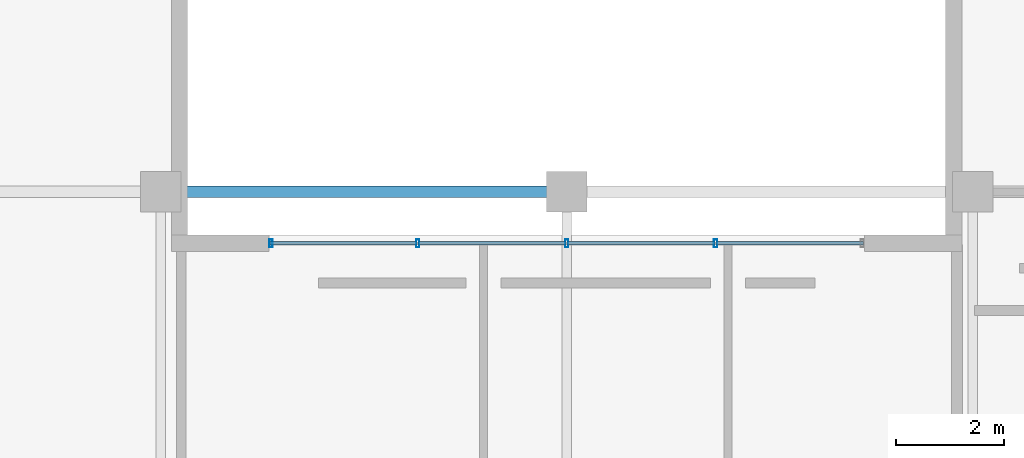
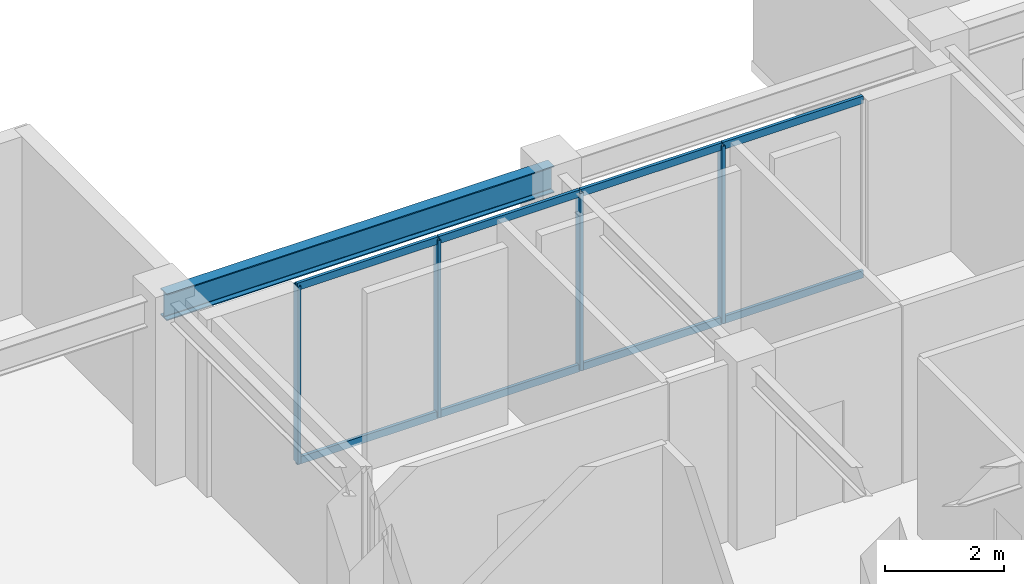
# One storey, part 2 of 10: 12 members, 1 beam, 1 element without a shape of its own.
"""IFC4 building model written with IfcOpenShell, lengths in metres."""

from ifc_helpers import new_model, si_unit, direction, frame, origin, origin_2d, place, context, subcontext, project, spatial, hollow_rectangle, i_section, extrude, material, material_profile, profile_set, type_object, element, aggregate, save


model = new_model("IFC4")

# Units and contexts
model_context = context("Model", 3, precision=1e-05, world=origin(), true_north=direction((0.0, 1.0)))
body_context = subcontext(model_context, "Body", "Model", "MODEL_VIEW")
ifc_project = project(units=[si_unit("LENGTHUNIT", "METRE"), si_unit("AREAUNIT", "SQUARE_METRE"), si_unit("VOLUMEUNIT", "CUBIC_METRE"), si_unit("PLANEANGLEUNIT", "RADIAN"), si_unit("MASSUNIT", "GRAM", prefix="KILO")], contexts=[model_context])

# Site, building, storey
site_placement = place(None, origin())
site = spatial("IfcSite", under=ifc_project, at=site_placement, CompositionType="ELEMENT")
building_placement = place(site_placement, origin())
building = spatial("IfcBuilding", under=site, at=building_placement, Name="Ventersveld Concourse Tower", CompositionType="ELEMENT")
storey_placement = place(building_placement, frame((0.0, 0.0, 208.0)))
storey = spatial("IfcBuildingStorey", under=building, at=storey_placement, Name="L51", CompositionType="ELEMENT", Elevation=208.0)

# Curtain wall, members
ifc_material_1 = material(Name="Anodised aluminium EN AW-6063-T6", Category="aluminium")
curtain_wall_type = type_object("IfcCurtainWallType", Name="CW-SG-4", PredefinedType="NOTDEFINED", material=ifc_material_1)
curtain_wall_placement = place(storey_placement, origin())
curtain_wall = element("IfcCurtainWall", 1, at=curtain_wall_placement, inside=storey, type_object=curtain_wall_type, Name="L51 L51 Sky Garden Recessed Curtain Wall", PredefinedType="NOTDEFINED")
ifc_material_profile_1 = material_profile(ifc_material_1, hollow_rectangle(XDim=0.06005859375, YDim=0.14990234375, WallThickness=0.00390625, at=origin_2d()), Name="ALU 150x60x4")
ifc_profile_set_1 = profile_set([ifc_material_profile_1], Name="Anodised aluminium EN AW-6063-T6")
member_type_1 = type_object("IfcMemberType", Name="CWM-150x65", PredefinedType="MULLION", material=ifc_profile_set_1)
member_1_placement = place(storey_placement, frame((23.2900390625, 34.050048828125, 0.0), z_axis=(0.0, 0.0, 1.0), x_axis=(1.0, 0.0, 0.0)))
member_1 = element("IfcMember", 2, at=member_1_placement, type_object=member_type_1, Name="CW-L51-SG Mullion 01", PredefinedType="MULLION", context=body_context, shape_type="SweptSolid", body=[
    extrude(hollow_rectangle(XDim=0.06005859375, YDim=0.14990234375, WallThickness=0.00390625, at=origin_2d()), origin(), (0.0, 0.0, 1.0), 3.6298828125),
])
member_2_placement = place(storey_placement, frame((26.0, 34.050048828125, 0.0), z_axis=(0.0, 0.0, 1.0), x_axis=(1.0, 0.0, 0.0)))
member_2 = element("IfcMember", 3, at=member_2_placement, type_object=member_type_1, Name="CW-L51-SG Mullion 02", PredefinedType="MULLION", context=body_context, shape_type="SweptSolid", body=[
    extrude(hollow_rectangle(XDim=0.06005859375, YDim=0.14990234375, WallThickness=0.00390625, at=origin_2d()), origin(), (0.0, 0.0, 1.0), 3.6298828125),
])
member_3_placement = place(storey_placement, frame((28.75, 34.050048828125, 0.0), z_axis=(0.0, 0.0, 1.0), x_axis=(1.0, 0.0, 0.0)))
member_3 = element("IfcMember", 4, at=member_3_placement, type_object=member_type_1, Name="CW-L51-SG Mullion 03", PredefinedType="MULLION", context=body_context, shape_type="SweptSolid", body=[
    extrude(hollow_rectangle(XDim=0.06005859375, YDim=0.14990234375, WallThickness=0.00390625, at=origin_2d()), origin(), (0.0, 0.0, 1.0), 3.6298828125),
])
member_4_placement = place(storey_placement, frame((31.5, 34.050048828125, 0.0), z_axis=(0.0, 0.0, 1.0), x_axis=(1.0, 0.0, 0.0)))
member_4 = element("IfcMember", 5, at=member_4_placement, type_object=member_type_1, Name="CW-L51-SG Mullion 04", PredefinedType="MULLION", context=body_context, shape_type="SweptSolid", body=[
    extrude(hollow_rectangle(XDim=0.06005859375, YDim=0.14990234375, WallThickness=0.00390625, at=origin_2d()), origin(), (0.0, 0.0, 1.0), 3.6298828125),
])
ifc_material_profile_2 = material_profile(ifc_material_1, hollow_rectangle(XDim=0.06005859375, YDim=0.14990234375, WallThickness=0.00390625, at=origin_2d()), Name="ALU 150x60x4")
ifc_profile_set_2 = profile_set([ifc_material_profile_2], Name="Anodised aluminium EN AW-6063-T6")
member_type_2 = type_object("IfcMemberType", Name="CWT-150x60", PredefinedType="USERDEFINED", material=ifc_profile_set_2)
member_5_placement = place(storey_placement, frame((23.27001953125, 34.050048828125, 0.030029296875), z_axis=(1.0, 0.0, 0.0), x_axis=(0.0, 1.0, 0.0)))
member_5 = element("IfcMember", 6, at=member_5_placement, type_object=member_type_2, Name="CW-L51-SG Transom 1-01", ObjectType="TRANSOM", PredefinedType="USERDEFINED", context=body_context, shape_type="SweptSolid", body=[
    extrude(hollow_rectangle(XDim=0.06005859375, YDim=0.14990234375, WallThickness=0.00390625, at=origin_2d()), origin(), (0.0, 0.0, 1.0), 2.719970703125),
])
member_6_placement = place(storey_placement, frame((26.010009765625, 34.050048828125, 0.030029296875), z_axis=(1.0, 0.0, 0.0), x_axis=(0.0, 1.0, 0.0)))
member_6 = element("IfcMember", 7, at=member_6_placement, type_object=member_type_2, Name="CW-L51-SG Transom 1-02", ObjectType="TRANSOM", PredefinedType="USERDEFINED", context=body_context, shape_type="SweptSolid", body=[
    extrude(hollow_rectangle(XDim=0.06005859375, YDim=0.14990234375, WallThickness=0.00390625, at=origin_2d()), origin(), (0.0, 0.0, 1.0), 2.72998046875),
])
member_7_placement = place(storey_placement, frame((28.760009765625, 34.050048828125, 0.030029296875), z_axis=(1.0, 0.0, 0.0), x_axis=(0.0, 1.0, 0.0)))
member_7 = element("IfcMember", 8, at=member_7_placement, type_object=member_type_2, Name="CW-L51-SG Transom 1-03", ObjectType="TRANSOM", PredefinedType="USERDEFINED", context=body_context, shape_type="SweptSolid", body=[
    extrude(hollow_rectangle(XDim=0.06005859375, YDim=0.14990234375, WallThickness=0.00390625, at=origin_2d()), origin(), (0.0, 0.0, 1.0), 2.72998046875),
])
member_8_placement = place(storey_placement, frame((31.510009765625, 34.050048828125, 0.030029296875), z_axis=(1.0, 0.0, 0.0), x_axis=(0.0, 1.0, 0.0)))
member_8 = element("IfcMember", 9, at=member_8_placement, type_object=member_type_2, Name="CW-L51-SG Transom 1-04", ObjectType="TRANSOM", PredefinedType="USERDEFINED", context=body_context, shape_type="SweptSolid", body=[
    extrude(hollow_rectangle(XDim=0.06005859375, YDim=0.14990234375, WallThickness=0.00390625, at=origin_2d()), origin(), (0.0, 0.0, 1.0), 2.719970703125),
])
member_9_placement = place(storey_placement, frame((23.27001953125, 34.050048828125, 3.60009765625), z_axis=(1.0, 0.0, 0.0), x_axis=(0.0, 1.0, 0.0)))
member_9 = element("IfcMember", 10, at=member_9_placement, type_object=member_type_2, Name="CW-L51-SG Transom 2-01", ObjectType="TRANSOM", PredefinedType="USERDEFINED", context=body_context, shape_type="SweptSolid", body=[
    extrude(hollow_rectangle(XDim=0.06005859375, YDim=0.14990234375, WallThickness=0.00390625, at=origin_2d()), origin(), (0.0, 0.0, 1.0), 2.719970703125),
])
member_10_placement = place(storey_placement, frame((26.010009765625, 34.050048828125, 3.60009765625), z_axis=(1.0, 0.0, 0.0), x_axis=(0.0, 1.0, 0.0)))
member_10 = element("IfcMember", 11, at=member_10_placement, type_object=member_type_2, Name="CW-L51-SG Transom 2-02", ObjectType="TRANSOM", PredefinedType="USERDEFINED", context=body_context, shape_type="SweptSolid", body=[
    extrude(hollow_rectangle(XDim=0.06005859375, YDim=0.14990234375, WallThickness=0.00390625, at=origin_2d()), origin(), (0.0, 0.0, 1.0), 2.72998046875),
])
member_11_placement = place(storey_placement, frame((28.760009765625, 34.050048828125, 3.60009765625), z_axis=(1.0, 0.0, 0.0), x_axis=(0.0, 1.0, 0.0)))
member_11 = element("IfcMember", 12, at=member_11_placement, type_object=member_type_2, Name="CW-L51-SG Transom 2-03", ObjectType="TRANSOM", PredefinedType="USERDEFINED", context=body_context, shape_type="SweptSolid", body=[
    extrude(hollow_rectangle(XDim=0.06005859375, YDim=0.14990234375, WallThickness=0.00390625, at=origin_2d()), origin(), (0.0, 0.0, 1.0), 2.72998046875),
])
member_12_placement = place(storey_placement, frame((31.510009765625, 34.050048828125, 3.60009765625), z_axis=(1.0, 0.0, 0.0), x_axis=(0.0, 1.0, 0.0)))
member_12 = element("IfcMember", 13, at=member_12_placement, type_object=member_type_2, Name="CW-L51-SG Transom 2-04", ObjectType="TRANSOM", PredefinedType="USERDEFINED", context=body_context, shape_type="SweptSolid", body=[
    extrude(hollow_rectangle(XDim=0.06005859375, YDim=0.14990234375, WallThickness=0.00390625, at=origin_2d()), origin(), (0.0, 0.0, 1.0), 2.719970703125),
])
aggregate(curtain_wall, [member_1, member_2, member_3, member_4, member_5, member_6, member_7, member_8, member_9, member_10, member_11, member_12])

# Beam
ifc_material_2 = material(Name="Structural steel S355J2", Category="steel")
ifc_material_profile_3 = material_profile(ifc_material_2, i_section(OverallWidth=0.2119140625, OverallDepth=0.54443359375, WebThickness=0.0126953125, FlangeThickness=0.021240234375, FilletRadius=0.0126953125, at=origin_2d()), Name="UB 533x210x122")
ifc_profile_set_3 = profile_set([ifc_material_profile_3], Name="Structural steel S355J2")
beam_type = type_object("IfcBeamType", Name="GRD-UB533H", PredefinedType="T_BEAM", material=ifc_profile_set_3)
beam_placement = place(storey_placement, frame((21.25, 35.0, 3.357666015625), z_axis=(1.0, 0.0, 0.0), x_axis=(0.0, 1.0, 0.0)))
element("IfcBeam", 14, at=beam_placement, inside=storey, type_object=beam_type, Name="L51 E-W Grid Girder Y=35.00 #3", PredefinedType="T_BEAM", context=body_context, shape_type="SweptSolid", body=[
    extrude(i_section(OverallWidth=0.2119140625, OverallDepth=0.54443359375, WebThickness=0.0126953125, FlangeThickness=0.021240234375, FilletRadius=0.0126953125, at=origin_2d()), origin(), (0.0, 0.0, 1.0), 7.5),
])

save(model, "model.ifc")
